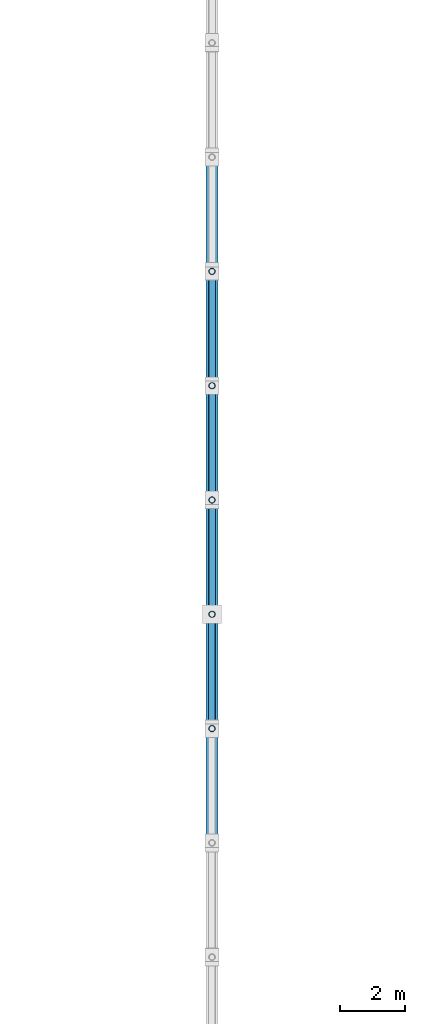
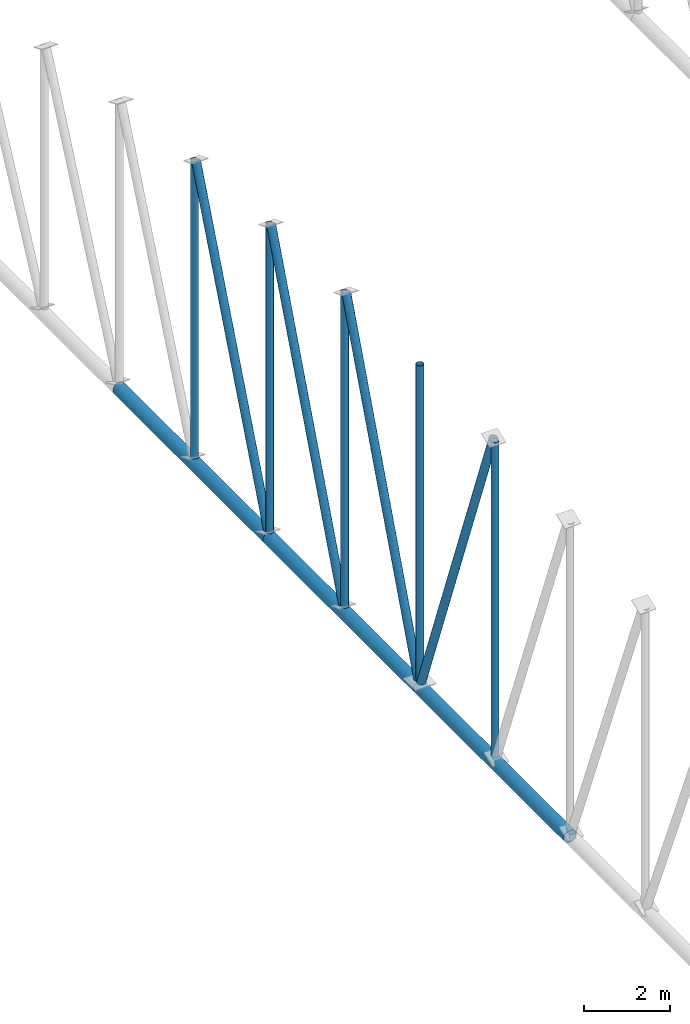
# One storey, part 71 of 196: 12 members.
"""IFC4 building model written with IfcOpenShell, lengths in metres."""

from ifc_helpers import new_model, si_unit, direction, frame, origin, origin_2d, place, context, subcontext, project, spatial, hollow_circle, extrude, material, material_profile, profile_set, type_object, element, save


model = new_model("IFC4")

# Units and contexts
model_context = context("Model", 3, precision=1e-05, world=origin(), true_north=direction((0.0, 1.0)))
body_context = subcontext(model_context, "Body", "Model", "MODEL_VIEW")
ifc_project = project(units=[si_unit("LENGTHUNIT", "METRE"), si_unit("AREAUNIT", "SQUARE_METRE"), si_unit("VOLUMEUNIT", "CUBIC_METRE"), si_unit("PLANEANGLEUNIT", "RADIAN"), si_unit("MASSUNIT", "GRAM", prefix="KILO")], contexts=[model_context])

# Site, building, storey
site_placement = place(None, origin())
site = spatial("IfcSite", under=ifc_project, at=site_placement, CompositionType="ELEMENT")
building_placement = place(site_placement, origin())
building = spatial("IfcBuilding", under=site, at=building_placement, Name="Okhra Congress Centre", CompositionType="ELEMENT")
storey_placement = place(building_placement, frame((0.0, 0.0, 12.0)))
storey = spatial("IfcBuildingStorey", under=building, at=storey_placement, Name="L02", CompositionType="ELEMENT", Elevation=12.0)

# Members
ifc_material = material(Name="Steel S355J2H", Category="steel")
ifc_material_profile_1 = material_profile(ifc_material, hollow_circle(Radius=0.096923828125, WallThickness=0.008056640625, at=origin_2d()), Name="CHS 193.7x8.0")
ifc_profile_set_1 = profile_set([ifc_material_profile_1], Name="Steel S355J2H")
member_type_1 = type_object("IfcMemberType", Name="CHS 193.7x8.0", PredefinedType="POST", material=ifc_profile_set_1)
member_1_placement = place(storey_placement, frame((82.0, 170.5, 1.577880859375), z_axis=(0.0, 0.0, 1.0), x_axis=(1.0, 0.0, 0.0)))
element("IfcMember", 1, at=member_1_placement, inside=storey, type_object=member_type_1, Name="EH.MEM.L02.T4-VER-11", PredefinedType="POST", context=body_context, shape_type="SweptSolid", body=[
    extrude(hollow_circle(Radius=0.096923828125, WallThickness=0.008056640625, at=origin_2d()), origin(), (0.0, 0.0, 1.0), 8.95654296875),
])
member_2_placement = place(storey_placement, frame((82.0, 174.0, 1.577880859375), z_axis=(0.0, 0.0, 1.0), x_axis=(1.0, 0.0, 0.0)))
element("IfcMember", 2, at=member_2_placement, inside=storey, type_object=member_type_1, Name="EH.MEM.L02.T4-VER-12", PredefinedType="POST", context=body_context, shape_type="SweptSolid", body=[
    extrude(hollow_circle(Radius=0.096923828125, WallThickness=0.008056640625, at=origin_2d()), origin(), (0.0, 0.0, 1.0), 9.018798828125),
])
member_3_placement = place(storey_placement, frame((82.0, 177.5, 1.577880859375), z_axis=(0.0, 0.0, 1.0), x_axis=(1.0, 0.0, 0.0)))
element("IfcMember", 3, at=member_3_placement, inside=storey, type_object=member_type_1, Name="EH.MEM.L02.T4-VER-13", PredefinedType="POST", context=body_context, shape_type="SweptSolid", body=[
    extrude(hollow_circle(Radius=0.096923828125, WallThickness=0.008056640625, at=origin_2d()), origin(), (0.0, 0.0, 1.0), 8.95654296875),
])
member_4_placement = place(storey_placement, frame((82.0, 181.0, 1.577880859375), z_axis=(0.0, 0.0, 1.0), x_axis=(1.0, 0.0, 0.0)))
element("IfcMember", 4, at=member_4_placement, inside=storey, type_object=member_type_1, Name="EH.MEM.L02.T4-VER-14", PredefinedType="POST", context=body_context, shape_type="SweptSolid", body=[
    extrude(hollow_circle(Radius=0.096923828125, WallThickness=0.008056640625, at=origin_2d()), origin(), (0.0, 0.0, 1.0), 8.76953125),
])
member_5_placement = place(storey_placement, frame((82.0, 184.5, 1.577880859375), z_axis=(0.0, 0.0, 1.0), x_axis=(1.0, 0.0, 0.0)))
element("IfcMember", 5, at=member_5_placement, inside=storey, type_object=member_type_1, Name="EH.MEM.L02.T4-VER-15", PredefinedType="POST", context=body_context, shape_type="SweptSolid", body=[
    extrude(hollow_circle(Radius=0.096923828125, WallThickness=0.008056640625, at=origin_2d()), origin(), (0.0, 0.0, 1.0), 8.456787109375),
])
ifc_material_profile_2 = material_profile(ifc_material, hollow_circle(Radius=0.109619140625, WallThickness=0.010009765625, at=origin_2d()), Name="CHS 219.1x10.0")
ifc_profile_set_2 = profile_set([ifc_material_profile_2], Name="Steel S355J2H")
member_type_2 = type_object("IfcMemberType", Name="CHS 219.1x10.0", PredefinedType="BRACE", material=ifc_profile_set_2)
for number, where, z_axis, x_axis, name in (
    (6, (82.0, 170.568359375, 10.55517578125), (0.0, 0.35098669327, -0.936380446799), (-1.0, 0.0, 0.0), "EH.MEM.L02.T4-DIA-11"),
    (7, (82.0, 177.431640625, 10.55517578125), (0.0, -0.35098669327, -0.936380446799), (1.0, 0.0, 0.0), "EH.MEM.L02.T4-DIA-12"),
):
    element("IfcMember", number, at=place(storey_placement, frame(where, z_axis=z_axis, x_axis=x_axis)), inside=storey, type_object=member_type_2, Name=name, PredefinedType="BRACE", context=body_context, shape_type="SweptSolid", body=[
        extrude(hollow_circle(Radius=0.109619140625, WallThickness=0.010009765625, at=origin_2d()), origin(), (0.0, 0.0, 1.0), 9.587158203125),
    ])
member_6_placement = place(storey_placement, frame((82.0, 180.930908203125, 10.37060546875), z_axis=(0.0, -0.357217988255, -0.934021043054), x_axis=(1.0, 0.0, 0.0)))
element("IfcMember", 8, at=member_6_placement, inside=storey, type_object=member_type_2, Name="EH.MEM.L02.T4-DIA-13", PredefinedType="BRACE", context=body_context, shape_type="SweptSolid", body=[
    extrude(hollow_circle(Radius=0.109619140625, WallThickness=0.010009765625, at=origin_2d()), origin(), (0.0, 0.0, 1.0), 9.413818359375),
])
member_7_placement = place(storey_placement, frame((82.0, 184.429443359375, 10.060546875), z_axis=(0.0, -0.368181952794, -0.929753757528), x_axis=(1.0, 0.0, 0.0)))
element("IfcMember", 9, at=member_7_placement, inside=storey, type_object=member_type_2, Name="EH.MEM.L02.T4-DIA-14", PredefinedType="BRACE", context=body_context, shape_type="SweptSolid", body=[
    extrude(hollow_circle(Radius=0.109619140625, WallThickness=0.010009765625, at=origin_2d()), origin(), (0.0, 0.0, 1.0), 9.12353515625),
])
ifc_material_profile_3 = material_profile(ifc_material, hollow_circle(Radius=0.177734375, WallThickness=0.02001953125, at=origin_2d()), Name="CHS 355.6x20.0")
ifc_profile_set_3 = profile_set([ifc_material_profile_3], Name="Steel S355J2H")
member_type_3 = type_object("IfcMemberType", Name="CHS 355.6x20.0", PredefinedType="CHORD", material=ifc_profile_set_3)
for number, where, z_axis, x_axis, name in (
    (10, (82.0, 167.0, 1.39990234375), (0.0, 1.0, 0.0), (-1.0, 0.0, 0.0), "EH.MEM.L02.T4-BOT-06"),
    (11, (82.0, 174.0, 1.39990234375), (0.0, 1.0, 0.0), (-1.0, 0.0, 0.0), "EH.MEM.L02.T4-BOT-07"),
    (12, (82.0, 181.0, 1.39990234375), (0.0, 1.0, 0.0), (-1.0, 0.0, 0.0), "EH.MEM.L02.T4-BOT-08"),
):
    element("IfcMember", number, at=place(storey_placement, frame(where, z_axis=z_axis, x_axis=x_axis)), inside=storey, type_object=member_type_3, Name=name, PredefinedType="CHORD", context=body_context, shape_type="SweptSolid", body=[
        extrude(hollow_circle(Radius=0.177734375, WallThickness=0.02001953125, at=origin_2d()), origin(), (0.0, 0.0, 1.0), 7.0),
    ])

save(model, "model.ifc")
